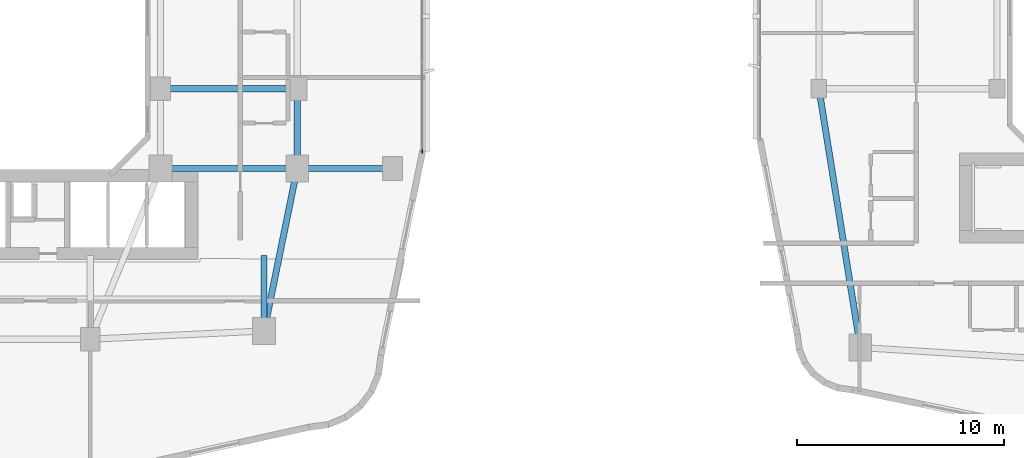
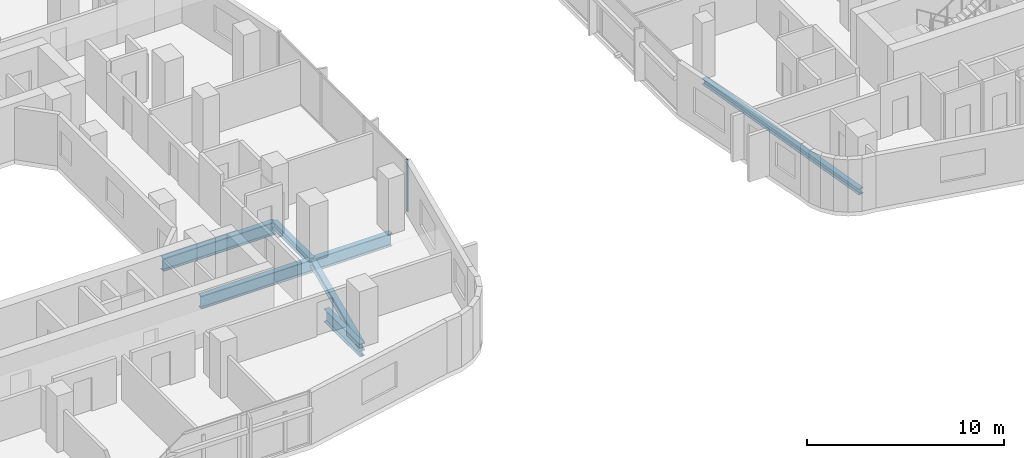
# One storey, part 4 of 26: 7 beams, 1 member, 1 element without a shape of its own.
"""IFC4 building model written with IfcOpenShell, lengths in metres."""

from ifc_helpers import new_model, si_unit, derived_unit, direction, frame, origin, origin_2d, place, context, subcontext, project, spatial, rectangle, i_section, extrude, material, layer, layer_set, material_profile, profile_set, type_object, element, aggregate, save


model = new_model("IFC4")

# Units and contexts
model_context = context("Model", 3, precision=1e-05, world=origin(), true_north=direction((0.0, 1.0)))
body_context = subcontext(model_context, "Body", "Model", "MODEL_VIEW")
ifc_project = project(units=[si_unit("LENGTHUNIT", "METRE"), si_unit("AREAUNIT", "SQUARE_METRE"), si_unit("VOLUMEUNIT", "CUBIC_METRE"), si_unit("PLANEANGLEUNIT", "RADIAN"), si_unit("MASSUNIT", "GRAM", prefix="KILO"), derived_unit("THERMALTRANSMITTANCEUNIT", [(si_unit("POWERUNIT", "WATT"), 1), (si_unit("LENGTHUNIT", "METRE"), -2), (si_unit("THERMODYNAMICTEMPERATUREUNIT", "KELVIN"), -1)])], contexts=[model_context])

# Site, building, storey
site_placement = place(None, origin())
site = spatial("IfcSite", under=ifc_project, at=site_placement, CompositionType="ELEMENT")
building_placement = place(site_placement, origin())
building = spatial("IfcBuilding", under=site, at=building_placement, Name="Kivonza Crest Hotel", CompositionType="ELEMENT")
storey_placement = place(building_placement, frame((0.0, 0.0, 55.5)))
storey = spatial("IfcBuildingStorey", under=building, at=storey_placement, Name="L14", CompositionType="ELEMENT", Elevation=55.5)

# Beams
ifc_material_1 = material(Name="Steel S355", Category="steel")
ifc_material_profile_1 = material_profile(ifc_material_1, i_section(OverallWidth=0.300048828125, OverallDepth=0.360107421875, WebThickness=0.012451171875, FlangeThickness=0.0224609375, FilletRadius=0.027099609375, at=origin_2d()), Name="HEB 360")
ifc_profile_set_1 = profile_set([ifc_material_profile_1], Name="Steel S355")
beam_type_1 = type_object("IfcBeamType", Name="BM-HEB360", PredefinedType="SPANDREL", material=ifc_profile_set_1)
beam_1_placement = place(storey_placement, frame((61.0, 21.5, -0.429931640625), z_axis=(0.157990501107, -0.987440631917, 0.0), x_axis=(0.987440631917, 0.157990501107, 0.0)))
element("IfcBeam", 1, at=beam_1_placement, inside=storey, type_object=beam_type_1, Name="Companion Tower T2 L14 perimeter spandrel W1-SW", PredefinedType="SPANDREL", context=body_context, shape_type="SweptSolid", body=[
    extrude(i_section(OverallWidth=0.300048828125, OverallDepth=0.360107421875, WebThickness=0.012451171875, FlangeThickness=0.0224609375, FilletRadius=0.027099609375, at=origin_2d()), origin(), (0.0, 0.0, 1.0), 12.658935546875),
])
ifc_material_profile_2 = material_profile(ifc_material_1, i_section(OverallWidth=0.300048828125, OverallDepth=0.449951171875, WebThickness=0.013916015625, FlangeThickness=0.02587890625, FilletRadius=0.027099609375, at=origin_2d()), Name="HEB 450")
ifc_profile_set_2 = profile_set([ifc_material_profile_2], Name="Steel S355")
beam_type_2 = type_object("IfcBeamType", Name="BM-HEB450", PredefinedType="SPANDREL", material=ifc_profile_set_2)
beam_2_placement = place(storey_placement, frame((34.199951171875, 9.800048828125, -0.5048828125), z_axis=(0.199730733965, 0.979850822273, 0.0), x_axis=(-0.979850822273, 0.199730733965, 0.0)))
element("IfcBeam", 2, at=beam_2_placement, inside=storey, type_object=beam_type_2, Name="Tower T1 L14 perimeter spandrel SE-PSE", PredefinedType="SPANDREL", context=body_context, shape_type="SweptSolid", body=[
    extrude(i_section(OverallWidth=0.300048828125, OverallDepth=0.449951171875, WebThickness=0.013916015625, FlangeThickness=0.02587890625, FilletRadius=0.027099609375, at=origin_2d()), origin(), (0.0, 0.0, 1.0), 8.01123046875),
])
beam_3_placement = place(storey_placement, frame((35.800048828125, 17.64990234375, -0.5048828125), z_axis=(0.0, 1.0, 0.0), x_axis=(-1.0, 0.0, 0.0)))
element("IfcBeam", 3, at=beam_3_placement, inside=storey, type_object=beam_type_2, Name="Tower T1 L14 perimeter spandrel PSE-E1", PredefinedType="SPANDREL", context=body_context, shape_type="SweptSolid", body=[
    extrude(i_section(OverallWidth=0.300048828125, OverallDepth=0.449951171875, WebThickness=0.013916015625, FlangeThickness=0.02587890625, FilletRadius=0.027099609375, at=origin_2d()), origin(), (0.0, 0.0, 1.0), 3.85009765625),
])
ifc_material_profile_3 = material_profile(ifc_material_1, i_section(OverallWidth=0.300048828125, OverallDepth=0.800048828125, WebThickness=0.017578125, FlangeThickness=0.032958984375, FilletRadius=0.030029296875, at=origin_2d()), Name="HEB 800")
ifc_profile_set_3 = profile_set([ifc_material_profile_3], Name="Steel S355")
beam_type_3 = type_object("IfcBeamType", Name="BM-HEB800", PredefinedType="BEAM", material=ifc_profile_set_3)
for number, where, z_axis, x_axis, name in (
    (4, (29.199951171875, 17.64990234375, -0.679931640625), (1.0, 0.0, 0.0), (0.0, 1.0, 0.0), "Tower T1 L14 primary girder TSE-PSE"),
    (5, (29.199951171875, 21.5, -0.679931640625), (1.0, 0.0, 0.0), (0.0, 1.0, 0.0), "Tower T1 L14 primary girder WR1-E1"),
):
    element("IfcBeam", number, at=place(storey_placement, frame(where, z_axis=z_axis, x_axis=x_axis)), inside=storey, type_object=beam_type_3, Name=name, PredefinedType="BEAM", context=body_context, shape_type="SweptSolid", body=[
        extrude(i_section(OverallWidth=0.300048828125, OverallDepth=0.800048828125, WebThickness=0.017578125, FlangeThickness=0.032958984375, FilletRadius=0.030029296875, at=origin_2d()), origin(), (0.0, 0.0, 1.0), 6.60009765625),
    ])
beam_4_placement = place(storey_placement, frame((40.39990234375, 17.64990234375, -0.679931640625), z_axis=(-1.0, 0.0, 0.0), x_axis=(0.0, -1.0, 0.0)))
element("IfcBeam", 6, at=beam_4_placement, inside=storey, type_object=beam_type_3, Name="Tower T1 L14 outer bay girder ZE1", PredefinedType="BEAM", context=body_context, shape_type="SweptSolid", body=[
    extrude(i_section(OverallWidth=0.300048828125, OverallDepth=0.800048828125, WebThickness=0.017578125, FlangeThickness=0.032958984375, FilletRadius=0.030029296875, at=origin_2d()), origin(), (0.0, 0.0, 1.0), 4.599853515625),
])
beam_5_placement = place(storey_placement, frame((34.199951171875, 9.800048828125, -0.679931640625), z_axis=(0.0, 1.0, 0.0), x_axis=(-1.0, 0.0, 0.0)))
element("IfcBeam", 7, at=beam_5_placement, inside=storey, type_object=beam_type_3, Name="Tower T1 L14 radial core girder RSE", PredefinedType="BEAM", context=body_context, shape_type="SweptSolid", body=[
    extrude(i_section(OverallWidth=0.300048828125, OverallDepth=0.800048828125, WebThickness=0.017578125, FlangeThickness=0.032958984375, FilletRadius=0.030029296875, at=origin_2d()), origin(), (0.0, 0.0, 1.0), 3.64990234375),
])

# Curtain wall, member
ifc_material_2 = material(Name="Anodised bronze aluminium and low-E double glazing", Category="aluminium")
ifc_layer = layer(ifc_material_2, 0.179931640625)
ifc_layer_set = layer_set([ifc_layer], Name="Anodised bronze aluminium and low-E double glazing")
curtain_wall_type = type_object("IfcCurtainWallType", Name="CW-SYS-2", PredefinedType="NOTDEFINED", material=ifc_layer_set)
curtain_wall_placement = place(storey_placement, origin())
curtain_wall = element("IfcCurtainWall", 8, at=curtain_wall_placement, inside=storey, type_object=curtain_wall_type, Name="L14 unitised curtain wall CW-T1-L14-17", PredefinedType="NOTDEFINED")
ifc_material_3 = material(Name="Anodised bronze aluminium", Category="aluminium")
ifc_material_profile_4 = material_profile(ifc_material_3, rectangle(XDim=0.06494140625, YDim=0.179931640625, at=origin_2d()), Name="CW-M 65x180")
ifc_profile_set_4 = profile_set([ifc_material_profile_4], Name="Anodised bronze aluminium")
member_type = type_object("IfcMemberType", Name="CW-MUL-65x180", PredefinedType="MULLION", material=ifc_profile_set_4)
member_placement = place(storey_placement, frame((41.840087890625, 18.472412109375, 0.0), z_axis=(0.0, 0.0, 1.0), x_axis=(-1.0, 0.0, 0.0)))
member = element("IfcMember", 9, at=member_placement, type_object=member_type, Name="CW-2 mullion 1", PredefinedType="MULLION", context=body_context, shape_type="SweptSolid", body=[
    extrude(rectangle(XDim=0.06494140625, YDim=0.179931640625, at=origin_2d()), origin(), (0.0, 0.0, 1.0), 3.219970703125),
])
aggregate(curtain_wall, [member])

save(model, "model.ifc")
